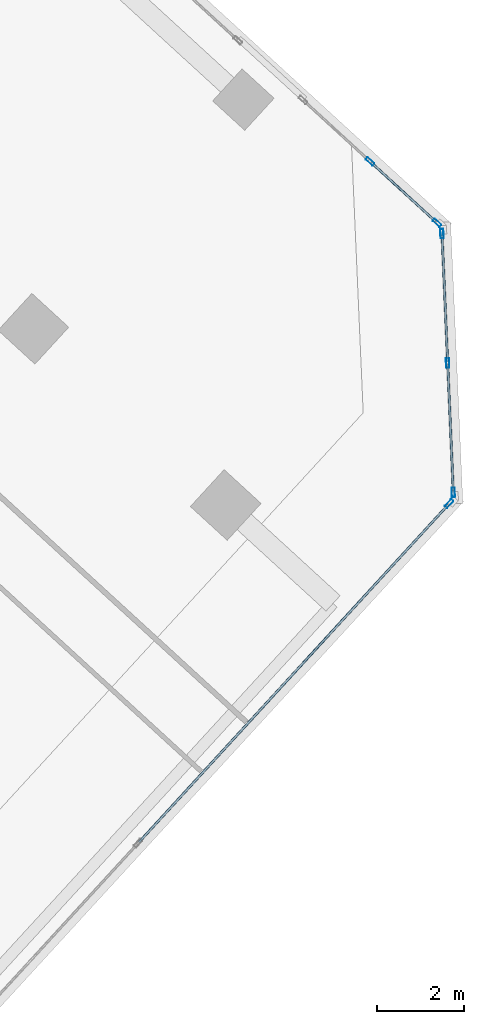
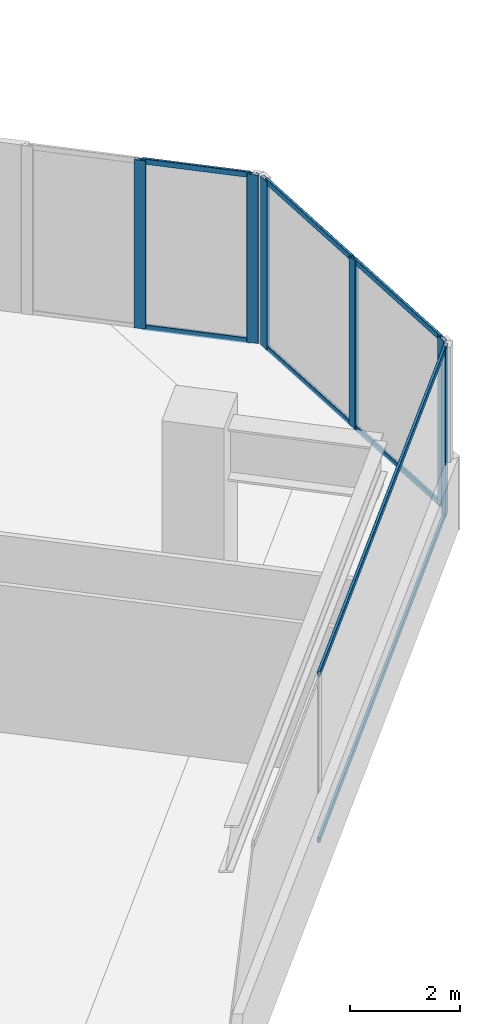
# One storey, part 8 of 18: 14 members, 3 elements without a shape of their own.
"""IFC4 building model written with IfcOpenShell, lengths in metres."""

import ifcopenshell
import ifcopenshell.guid

model = None  # the IFC model being written
_history = None  # IfcOwnerHistory: only IFC2X3 demands one
_inside = {}  # id of a spatial element -> (the spatial element, [elements in it])
_under = {}  # id of a project, library or spatial element -> (it, [spatial elements below it])
_declared = {}  # id of a project -> (the project, [libraries it declares])
_typed = {}  # id of a type object -> (the type object, [elements of that type])
_made_of = {}  # id of a material, layer set ... -> (it, [elements and type objects made of it])


def new_model(schema):
    """Start an empty IFC model of exactly this schema.

    Asked for "IFC4X3", IfcOpenShell would pick the latest addendum, in which some entities
    have other attributes; the version numbers below select the first issue.
    IFC2X3 requires an IfcOwnerHistory on every rooted entity: one is made here for all.
    """
    global model, _history
    if schema == "IFC4X3":
        model = ifcopenshell.file(schema_version=(4, 3, 0, 0))
    else:
        model = ifcopenshell.file(schema=schema)
    _inside.clear()
    _under.clear()
    _declared.clear()
    _typed.clear()
    _made_of.clear()
    _history = None
    if model.schema == "IFC2X3":
        org = make("IfcOrganization", Name="unknown")
        user = make(
            "IfcPersonAndOrganization",
            ThePerson=make("IfcPerson", FamilyName="unknown"),
            TheOrganization=org,
        )
        app = make(
            "IfcApplication",
            ApplicationDeveloper=org,
            Version="unknown",
            ApplicationFullName="unknown",
            ApplicationIdentifier="unknown",
        )
        _history = make(
            "IfcOwnerHistory",
            OwningUser=user,
            OwningApplication=app,
            ChangeAction="ADDED",
            CreationDate=0,
        )
    return model


def make(cls, **values):
    """One entity of the class cls with the attributes given. An attribute that is None is left unset."""
    return model.create_entity(
        cls, **{name: value for name, value in values.items() if value is not None}
    )


def rooted(cls, **values):
    """An entity with a GlobalId (a new one), such as an element, a storey or a relation."""
    return make(cls, GlobalId=ifcopenshell.guid.new(), OwnerHistory=_history, **values)


def si_unit(unit_type, name, prefix=None):
    """IfcSIUnit, for example si_unit("LENGTHUNIT", "METRE", prefix="MILLI")."""
    return make("IfcSIUnit", UnitType=unit_type, Prefix=prefix, Name=name)


def assignment(units):
    """IfcUnitAssignment: the units of a project."""
    return None if units is None else make("IfcUnitAssignment", Units=units)


def point(xyz):
    """IfcCartesianPoint."""
    return None if xyz is None else make("IfcCartesianPoint", Coordinates=xyz)


def direction(xyz):
    """IfcDirection."""
    return None if xyz is None else make("IfcDirection", DirectionRatios=xyz)


def frame(location, z_axis=None, x_axis=None):
    """IfcAxis2Placement3D, a coordinate frame: its origin and axes. An axis left out is left unset."""
    return make(
        "IfcAxis2Placement3D",
        Location=point(location),
        Axis=direction(z_axis),
        RefDirection=direction(x_axis),
    )


def frame_2d(location, x_axis=None):
    """IfcAxis2Placement2D, a coordinate frame in the plane: its origin and x axis."""
    return make(
        "IfcAxis2Placement2D", Location=point(location), RefDirection=direction(x_axis)
    )


def origin():
    """The frame at (0, 0, 0) with its axes left unset."""
    return frame((0.0, 0.0, 0.0))


def origin_2d():
    """The frame at (0, 0) in the plane with its x axis left unset."""
    return frame_2d((0.0, 0.0))


def place(relative_to, where):
    """IfcLocalPlacement: puts the frame where relative to a parent placement (None: the world)."""
    return make(
        "IfcLocalPlacement", PlacementRelTo=relative_to, RelativePlacement=where
    )


def context(
    kind, dimensions, precision=None, world=None, true_north=None, identifier=None
):
    """IfcGeometricRepresentationContext, for example the 3D "Model" context."""
    return make(
        "IfcGeometricRepresentationContext",
        ContextIdentifier=identifier,
        ContextType=kind,
        CoordinateSpaceDimension=dimensions,
        Precision=precision,
        WorldCoordinateSystem=world,
        TrueNorth=true_north,
    )


def subcontext(parent, identifier, kind, view, scale=None):
    """IfcGeometricRepresentationSubContext, for example "Body" below "Model"."""
    return make(
        "IfcGeometricRepresentationSubContext",
        ContextIdentifier=identifier,
        ContextType=kind,
        ParentContext=parent,
        TargetScale=scale,
        TargetView=view,
    )


def project(units=None, contexts=None):
    """IfcProject with its units and contexts."""
    return rooted(
        "IfcProject",
        Name="project",
        RepresentationContexts=contexts,
        UnitsInContext=assignment(units),
    )


def spatial(cls, under=None, at=None, **own):
    """A site, building, storey or space (cls), placed at a placement, below another one or the project."""
    s = rooted(cls, ObjectPlacement=at, **own)
    if under is not None:
        _under.setdefault(under.id(), (under, []))[1].append(s)
    return s


def profile(cls, at=None, kind="AREA", **sizes):
    """A parametric profile (cls). Its sizes go by their IFC names, for example OverallWidth=200.0."""
    return make(cls, ProfileType=kind, Position=at, **sizes)


def hollow_rectangle(**sizes):
    """IfcRectangleHollowProfileDef."""
    return profile("IfcRectangleHollowProfileDef", **sizes)


def extrude(swept, where, along, depth):
    """IfcExtrudedAreaSolid: the profile swept, set in the frame where, extruded along a direction by depth."""
    return make(
        "IfcExtrudedAreaSolid",
        SweptArea=swept,
        Position=where,
        ExtrudedDirection=direction(along),
        Depth=depth,
    )


def shape(context_of_items, identifier, shape_type, items):
    """IfcShapeRepresentation: the items that make up one representation, for example the "Body"."""
    return make(
        "IfcShapeRepresentation",
        ContextOfItems=context_of_items,
        RepresentationIdentifier=identifier,
        RepresentationType=shape_type,
        Items=items,
    )


def source(mapping_origin, context_of_items, identifier, shape_type, items):
    """IfcRepresentationMap: a shape defined once, which mapped items show again and again."""
    return make(
        "IfcRepresentationMap",
        MappingOrigin=mapping_origin,
        MappedRepresentation=shape(context_of_items, identifier, shape_type, items),
    )


def transform(
    local_origin,
    x_axis=None,
    y_axis=None,
    z_axis=None,
    scale=None,
    scale2=None,
    scale3=None,
    uniform=True,
):
    """IfcCartesianTransformationOperator3D, or its non-uniform kind. x_axis, y_axis, z_axis: its Axis1, 2, 3."""
    if uniform:
        return make(
            "IfcCartesianTransformationOperator3D",
            Axis1=direction(x_axis),
            Axis2=direction(y_axis),
            LocalOrigin=point(local_origin),
            Scale=scale,
            Axis3=direction(z_axis),
        )
    return make(
        "IfcCartesianTransformationOperator3DnonUniform",
        Axis1=direction(x_axis),
        Axis2=direction(y_axis),
        LocalOrigin=point(local_origin),
        Scale=scale,
        Axis3=direction(z_axis),
        Scale2=scale2,
        Scale3=scale3,
    )


def mapped(mapping_source, mapping_target):
    """IfcMappedItem: shows the shape of a source again, moved by a transform."""
    return make(
        "IfcMappedItem", MappingSource=mapping_source, MappingTarget=mapping_target
    )


def material(Name=None, Category=None):
    """IfcMaterial."""
    return make("IfcMaterial", Name=Name, Category=Category)


def material_profile(
    of_material, cross_section, Name=None, Category=None, Priority=None
):
    """IfcMaterialProfile: a cross section and its material."""
    return make(
        "IfcMaterialProfile",
        Name=Name,
        Material=of_material,
        Profile=cross_section,
        Priority=Priority,
        Category=Category,
    )


def profile_set(profiles, Name=None, composite=None):
    """IfcMaterialProfileSet."""
    return make(
        "IfcMaterialProfileSet",
        Name=Name,
        MaterialProfiles=profiles,
        CompositeProfile=composite,
    )


def made_of(thing, what):
    """Note that an element or type object is made of a material, layer set ...; save() writes the relation."""
    if what is not None:
        _made_of.setdefault(what.id(), (what, []))[1].append(thing)
    return thing


def type_object(cls, material=None, **own):
    """A type object (cls), such as IfcWallType, which elements share."""
    return made_of(rooted(cls, **own), material)


def element(
    cls,
    number,
    at=None,
    inside=None,
    cuts=None,
    type_object=None,
    material=None,
    context=None,
    identifier="Body",
    shape_type=None,
    held_by="IfcProductDefinitionShape",
    body=None,
    shapes=None,
    **own,
):
    """One element of the class cls, such as IfcWall. Its Tag is "e" and its number.

    at: its placement. inside: the storey or other place that contains it. cuts: it is an
    opening in that element (IfcRelVoidsElement). A single representation is given by context,
    identifier, shape_type and body (its items); several are given by shapes. held_by: the class
    of the entity that holds the representations. save() writes the other relations.
    """
    e = rooted(cls, Tag="e%d" % number, ObjectPlacement=at, **own)
    if body is not None:
        shapes = [shape(context, identifier, shape_type, body)]
    if shapes is not None:
        e.Representation = make(held_by, Representations=shapes)
    if inside is not None:
        _inside.setdefault(inside.id(), (inside, []))[1].append(e)
    if cuts is not None:
        rooted(
            "IfcRelVoidsElement", RelatingBuildingElement=cuts, RelatedOpeningElement=e
        )
    if type_object is not None:
        _typed.setdefault(type_object.id(), (type_object, []))[1].append(e)
    return made_of(e, material)


def aggregate(whole, parts):
    """IfcRelAggregates: a whole, such as a stair, and the parts it consists of."""
    return rooted("IfcRelAggregates", RelatingObject=whole, RelatedObjects=parts)


def save(model, path):
    """Write the relations noted so far, then the file.

    IfcRelAggregates (storeys below a building ...), IfcRelContainedInSpatialStructure (elements
    in a storey), IfcRelDefinesByType, IfcRelAssociatesMaterial and IfcRelDeclares: one each for
    every whole, place, type object, material and project.
    """
    for whole, parts in _under.values():
        aggregate(whole, parts)
    for where, things in _inside.values():
        rooted(
            "IfcRelContainedInSpatialStructure",
            RelatedElements=things,
            RelatingStructure=where,
        )
    for kind, things in _typed.values():
        rooted("IfcRelDefinesByType", RelatedObjects=things, RelatingType=kind)
    for what, things in _made_of.values():
        rooted("IfcRelAssociatesMaterial", RelatedObjects=things, RelatingMaterial=what)
    for by, libraries in _declared.values():
        rooted("IfcRelDeclares", RelatingContext=by, RelatedDefinitions=libraries)
    model.write(path)


model = new_model("IFC4")

# Units and contexts
model_context = context("Model", 3, precision=1e-05, world=origin(), true_north=direction((0.0, 1.0)))
body_context = subcontext(model_context, "Body", "Model", "MODEL_VIEW")
ifc_project = project(units=[si_unit("LENGTHUNIT", "METRE"), si_unit("AREAUNIT", "SQUARE_METRE"), si_unit("VOLUMEUNIT", "CUBIC_METRE"), si_unit("PLANEANGLEUNIT", "RADIAN"), si_unit("MASSUNIT", "GRAM", prefix="KILO")], contexts=[model_context])

# Site, building, storey
site_placement = place(None, origin())
site = spatial("IfcSite", under=ifc_project, at=site_placement, CompositionType="ELEMENT")
building_placement = place(site_placement, origin())
building = spatial("IfcBuilding", under=site, at=building_placement, Name="Torre Montelarca", CompositionType="ELEMENT")
storey_placement = place(building_placement, frame((0.0, 0.0, 233.199951171875)))
storey = spatial("IfcBuildingStorey", under=building, at=storey_placement, Name="L52", CompositionType="ELEMENT", Elevation=233.199951171875)

# Curtain wall, members
ifc_material_1 = material(Name="Insulated low-E laminated glass", Category="glass")
curtain_wall_type = type_object("IfcCurtainWallType", Name="CW-SYS-Z3", PredefinedType="USERDEFINED", material=ifc_material_1)
curtain_wall_1_placement = place(storey_placement, origin())
curtain_wall_1 = element("IfcCurtainWall", 1, at=curtain_wall_1_placement, inside=storey, type_object=curtain_wall_type, Name="L52 Curtain Wall Run CW-T3-L52-E07-B1", ObjectType="UNITISED GLAZING", PredefinedType="USERDEFINED")
ifc_material_2 = material(Name="Anodised aluminium AA 6063-T6", Category="aluminium")
ifc_material_profile_1 = material_profile(ifc_material_2, hollow_rectangle(XDim=0.054931640625, YDim=0.1201171875, WallThickness=0.00341796875, InnerFilletRadius=0.00341796875, OuterFilletRadius=0.007080078125, at=origin_2d()), Name="ALU55X120X3.5", Category="aluminium")
ifc_profile_set_1 = profile_set([ifc_material_profile_1], Name="Anodised aluminium AA 6063-T6")
member_type_1 = type_object("IfcMemberType", Name="CWT-ALU120", PredefinedType="USERDEFINED", material=ifc_profile_set_1)
shared_shape_1 = source(origin(), body_context, "Body", "SweptSolid", [
    extrude(hollow_rectangle(XDim=0.054931640625, YDim=0.1201171875, WallThickness=0.00341796875, InnerFilletRadius=0.00341796875, OuterFilletRadius=0.007080078125, at=origin_2d()), origin(), (0.0, 0.0, 1.0), 2.903564453125),
])
member_1_placement = place(storey_placement, frame((47.253662109375, 24.376708984375, 0.027587890625), z_axis=(-0.043637906688, 0.999047412839, 0.0), x_axis=(-0.999047412839, -0.043637906688, 0.0)))
member_1 = element("IfcMember", 2, at=member_1_placement, type_object=member_type_1, Name="CW transom 1.1", ObjectType="TRANSOM", PredefinedType="USERDEFINED", context=body_context, shape_type="MappedRepresentation", body=[
    mapped(shared_shape_1, transform((0.0, 0.0, 0.0), scale=1.0)),
])
member_2_placement = place(storey_placement, frame((47.253662109375, 24.376708984375, 3.692626953125), z_axis=(-0.043637906688, 0.999047412839, 0.0), x_axis=(-0.999047412839, -0.043637906688, 0.0)))
member_2 = element("IfcMember", 3, at=member_2_placement, type_object=member_type_1, Name="CW transom 1.2", ObjectType="TRANSOM", PredefinedType="USERDEFINED", context=body_context, shape_type="MappedRepresentation", body=[
    mapped(shared_shape_1, transform((0.0, 0.0, 0.0), scale=1.0)),
])
member_3_placement = place(storey_placement, frame((47.123779296875, 27.352294921875, 0.027587890625), z_axis=(-0.043637906688, 0.999047412839, 0.0), x_axis=(-0.999047412839, -0.043637906688, 0.0)))
member_3 = element("IfcMember", 4, at=member_3_placement, type_object=member_type_1, Name="CW transom 2.1", ObjectType="TRANSOM", PredefinedType="USERDEFINED", context=body_context, shape_type="MappedRepresentation", body=[
    mapped(shared_shape_1, transform((0.0, 0.0, 0.0), scale=1.0)),
])
member_4_placement = place(storey_placement, frame((47.123779296875, 27.352294921875, 3.692626953125), z_axis=(-0.043637906688, 0.999047412839, 0.0), x_axis=(-0.999047412839, -0.043637906688, 0.0)))
member_4 = element("IfcMember", 5, at=member_4_placement, type_object=member_type_1, Name="CW transom 2.2", ObjectType="TRANSOM", PredefinedType="USERDEFINED", context=body_context, shape_type="MappedRepresentation", body=[
    mapped(shared_shape_1, transform((0.0, 0.0, 0.0), scale=1.0)),
])

# Curtain wall, member
curtain_wall_2_placement = place(storey_placement, origin())
curtain_wall_2 = element("IfcCurtainWall", 6, at=curtain_wall_2_placement, inside=storey, type_object=curtain_wall_type, Name="L52 Curtain Wall Run CW-T3-L52-E06-B1", ObjectType="UNITISED GLAZING", PredefinedType="USERDEFINED")
ifc_material_profile_2 = material_profile(ifc_material_2, hollow_rectangle(XDim=0.074951171875, YDim=0.219970703125, WallThickness=0.0048828125, InnerFilletRadius=0.0048828125, OuterFilletRadius=0.010009765625, at=origin_2d()), Name="ALU75X220X5", Category="aluminium")
ifc_profile_set_2 = profile_set([ifc_material_profile_2], Name="Anodised aluminium AA 6063-T6")
member_type_2 = type_object("IfcMemberType", Name="CWM-ALU220", PredefinedType="MULLION", material=ifc_profile_set_2)
shared_shape_2 = source(origin(), body_context, "Body", "SweptSolid", [
    extrude(hollow_rectangle(XDim=0.074951171875, YDim=0.219970703125, WallThickness=0.0048828125, InnerFilletRadius=0.0048828125, OuterFilletRadius=0.010009765625, at=origin_2d()), origin(), (0.0, 0.0, 1.0), 3.719970703125),
])
member_5_placement = place(storey_placement, frame((47.16064453125, 24.07958984375, 0.0), z_axis=(0.0, 0.0, 1.0), x_axis=(-0.737277670314, 0.675589843659, 0.0)))
member_5 = element("IfcMember", 7, at=member_5_placement, type_object=member_type_2, Name="CW mullion 3", PredefinedType="MULLION", context=body_context, shape_type="MappedRepresentation", body=[
    mapped(shared_shape_2, transform((0.0, 0.0, 0.0), scale=1.0)),
])

# Member
member_6_placement = place(storey_placement, frame((47.25537109375, 24.339111328125, 0.0), z_axis=(0.0, 0.0, 1.0), x_axis=(-0.999048385364, -0.043615635968, 0.0)))
member_6 = element("IfcMember", 8, at=member_6_placement, type_object=member_type_2, Name="CW mullion 1", PredefinedType="MULLION", context=body_context, shape_type="MappedRepresentation", body=[
    mapped(shared_shape_2, transform((0.0, 0.0, 0.0), scale=1.0)),
])

member_7_placement = place(storey_placement, frame((47.125244140625, 27.31494140625, 0.0), z_axis=(0.0, 0.0, 1.0), x_axis=(-0.999048385364, -0.043615635968, 0.0)))
member_7 = element("IfcMember", 9, at=member_7_placement, type_object=member_type_2, Name="CW mullion 2", PredefinedType="MULLION", context=body_context, shape_type="MappedRepresentation", body=[
    mapped(shared_shape_2, transform((0.0, 0.0, 0.0), scale=1.0)),
])

member_8_placement = place(storey_placement, frame((46.995361328125, 30.290771484375, 0.0), z_axis=(0.0, 0.0, 1.0), x_axis=(-0.999048385364, -0.043615635968, 0.0)))
member_8 = element("IfcMember", 10, at=member_8_placement, type_object=member_type_2, Name="CW mullion 3", PredefinedType="MULLION", context=body_context, shape_type="MappedRepresentation", body=[
    mapped(shared_shape_2, transform((0.0, 0.0, 0.0), scale=1.0)),
])

aggregate(curtain_wall_1, [member_6, member_7, member_8, member_1, member_2, member_3, member_4])

# Curtain wall, members
curtain_wall_3_placement = place(storey_placement, origin())
curtain_wall_3 = element("IfcCurtainWall", 11, at=curtain_wall_3_placement, inside=storey, type_object=curtain_wall_type, Name="L52 Curtain Wall Run CW-T3-L52-E08-B1", ObjectType="UNITISED GLAZING", PredefinedType="USERDEFINED")
member_9_placement = place(storey_placement, frame((46.878662109375, 30.541015625, 0.0), z_axis=(0.0, 0.0, 1.0), x_axis=(-0.675581984074, -0.737284872213, 0.0)))
member_9 = element("IfcMember", 12, at=member_9_placement, type_object=member_type_2, Name="CW mullion 1", PredefinedType="MULLION", context=body_context, shape_type="MappedRepresentation", body=[
    mapped(shared_shape_2, transform((0.0, 0.0, 0.0), scale=1.0)),
])
member_10_placement = place(storey_placement, frame((45.338134765625, 31.952880859375, 0.0), z_axis=(0.0, 0.0, 1.0), x_axis=(-0.675581984074, -0.737284872213, 0.0)))
member_10 = element("IfcMember", 13, at=member_10_placement, type_object=member_type_2, Name="CW mullion 2", PredefinedType="MULLION", context=body_context, shape_type="MappedRepresentation", body=[
    mapped(shared_shape_2, transform((0.0, 0.0, 0.0), scale=1.0)),
])

# Member
shared_shape_3 = source(origin(), body_context, "Body", "SweptSolid", [
    extrude(hollow_rectangle(XDim=0.054931640625, YDim=0.1201171875, WallThickness=0.00341796875, InnerFilletRadius=0.00341796875, OuterFilletRadius=0.007080078125, at=origin_2d()), origin(), (0.0, 0.0, 1.0), 10.521728515625),
])
member_11_placement = place(storey_placement, frame((40.027099609375, 16.294677734375, 0.027587890625), z_axis=(0.675596429277, 0.737271635659, 0.0), x_axis=(-0.737271635659, 0.675596429277, 0.0)))
member_11 = element("IfcMember", 14, at=member_11_placement, type_object=member_type_1, Name="CW transom 2.1", ObjectType="TRANSOM", PredefinedType="USERDEFINED", context=body_context, shape_type="MappedRepresentation", body=[
    mapped(shared_shape_3, transform((0.0, 0.0, 0.0), scale=1.0)),
])

member_12_placement = place(storey_placement, frame((40.027099609375, 16.294677734375, 3.692626953125), z_axis=(0.675596429277, 0.737271635659, 0.0), x_axis=(-0.737271635659, 0.675596429277, 0.0)))
member_12 = element("IfcMember", 15, at=member_12_placement, type_object=member_type_1, Name="CW transom 2.2", ObjectType="TRANSOM", PredefinedType="USERDEFINED", context=body_context, shape_type="MappedRepresentation", body=[
    mapped(shared_shape_3, transform((0.0, 0.0, 0.0), scale=1.0)),
])

aggregate(curtain_wall_2, [member_5, member_11, member_12])

shared_shape_4 = source(origin(), body_context, "Body", "SweptSolid", [
    extrude(hollow_rectangle(XDim=0.054931640625, YDim=0.1201171875, WallThickness=0.00341796875, InnerFilletRadius=0.00341796875, OuterFilletRadius=0.007080078125, at=origin_2d()), origin(), (0.0, 0.0, 1.0), 2.0146484375),
])
member_13_placement = place(storey_placement, frame((46.85107421875, 30.56640625, 0.027587890625), z_axis=(-0.737274853729, 0.675592917413, 0.0), x_axis=(-0.675592917413, -0.737274853729, 0.0)))
member_13 = element("IfcMember", 16, at=member_13_placement, type_object=member_type_1, Name="CW transom 1.1", ObjectType="TRANSOM", PredefinedType="USERDEFINED", context=body_context, shape_type="MappedRepresentation", body=[
    mapped(shared_shape_4, transform((0.0, 0.0, 0.0), scale=1.0)),
])

member_14_placement = place(storey_placement, frame((46.85107421875, 30.56640625, 3.692626953125), z_axis=(-0.737274853729, 0.675592917413, 0.0), x_axis=(-0.675592917413, -0.737274853729, 0.0)))
member_14 = element("IfcMember", 17, at=member_14_placement, type_object=member_type_1, Name="CW transom 1.2", ObjectType="TRANSOM", PredefinedType="USERDEFINED", context=body_context, shape_type="MappedRepresentation", body=[
    mapped(shared_shape_4, transform((0.0, 0.0, 0.0), scale=1.0)),
])

aggregate(curtain_wall_3, [member_9, member_10, member_13, member_14])

save(model, "model.ifc")
